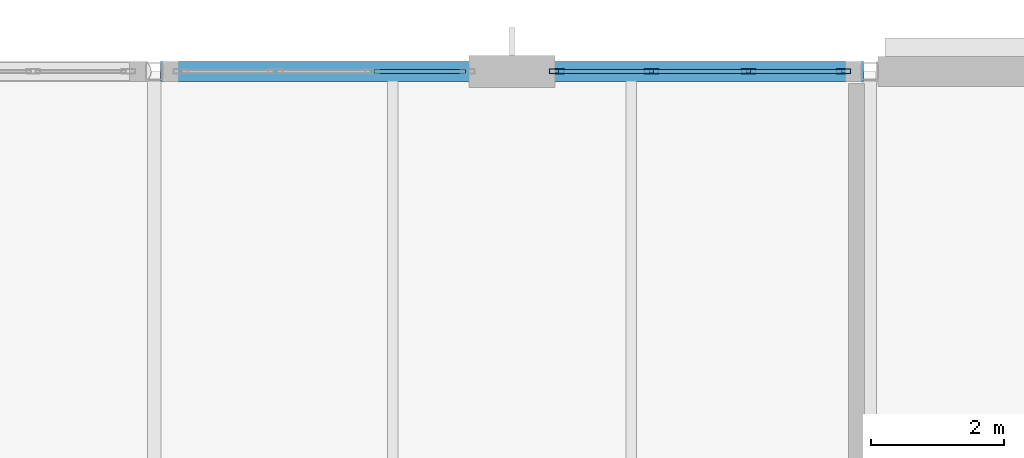
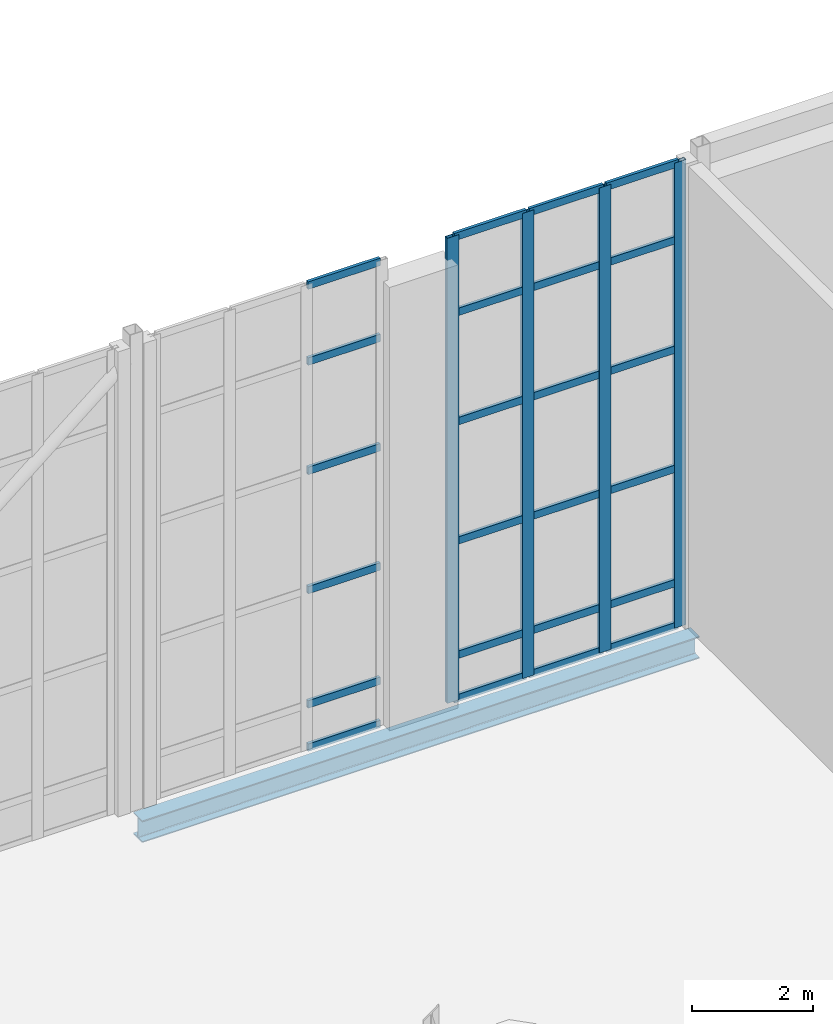
# One storey, part 57 of 100: 28 members, 1 beam, 2 elements without a shape of their own.
"""IFC4 building model written with IfcOpenShell, lengths in metres."""

from ifc_helpers import new_model, si_unit, direction, frame, origin, origin_2d, place, context, subcontext, project, spatial, hollow_rectangle, i_section, extrude, material, layer, layer_set, material_profile, profile_set, type_object, element, aggregate, save


model = new_model("IFC4")

# Units and contexts
model_context = context("Model", 3, precision=1e-05, world=origin(), true_north=direction((0.0, 1.0)))
body_context = subcontext(model_context, "Body", "Model", "MODEL_VIEW")
ifc_project = project(units=[si_unit("LENGTHUNIT", "METRE"), si_unit("AREAUNIT", "SQUARE_METRE"), si_unit("VOLUMEUNIT", "CUBIC_METRE"), si_unit("PLANEANGLEUNIT", "RADIAN"), si_unit("MASSUNIT", "GRAM", prefix="KILO")], contexts=[model_context])

# Site, building, storey
site_placement = place(None, origin())
site = spatial("IfcSite", under=ifc_project, at=site_placement, CompositionType="ELEMENT")
building_placement = place(site_placement, origin())
building = spatial("IfcBuilding", under=site, at=building_placement, Name="Tasgan Crest Museum", CompositionType="ELEMENT")
storey_placement = place(building_placement, frame((0.0, 0.0, 14.39990234375)))
storey = spatial("IfcBuildingStorey", under=building, at=storey_placement, Name="L03", CompositionType="ELEMENT", Elevation=14.39990234375)

# Beam
ifc_material_1 = material(Name="Steel S355J2", Category="steel")
ifc_material_profile_1 = material_profile(ifc_material_1, i_section(OverallWidth=0.300048828125, OverallDepth=0.43994140625, WebThickness=0.011474609375, FlangeThickness=0.02099609375, FilletRadius=0.027099609375, at=origin_2d()), Name="HEA 450")
ifc_profile_set_1 = profile_set([ifc_material_profile_1], Name="Steel S355J2")
beam_type = type_object("IfcBeamType", Name="BM-G-HEA450", PredefinedType="BEAM", material=ifc_profile_set_1)
beam_placement = place(storey_placement, frame((75.696044921875, 112.0, -0.4599609375), z_axis=(1.0, 0.0, 0.0), x_axis=(0.0, 1.0, 0.0)))
element("IfcBeam", 1, at=beam_placement, inside=storey, type_object=beam_type, Name="Girder L03 M 75.6-86.4", PredefinedType="BEAM", context=body_context, shape_type="SweptSolid", body=[
    extrude(i_section(OverallWidth=0.300048828125, OverallDepth=0.43994140625, WebThickness=0.011474609375, FlangeThickness=0.02099609375, FilletRadius=0.027099609375, at=origin_2d()), origin(), (0.0, 0.0, 1.0), 10.60791015625),
])

# Curtain wall, members
ifc_material_2 = material(Name="Triple-Glazed Aluminium Curtain Wall", Category="aluminium")
ifc_layer = layer(ifc_material_2, 0.179931640625, Name="CW-GAL-X-96")
ifc_layer_set = layer_set([ifc_layer], Name="Triple-Glazed Aluminium Curtain Wall")
curtain_wall_type = type_object("IfcCurtainWallType", Name="CW-GAL-X-96", PredefinedType="NOTDEFINED", material=ifc_layer_set)
curtain_wall_1_placement = place(storey_placement, origin())
curtain_wall_1 = element("IfcCurtainWall", 2, at=curtain_wall_1_placement, inside=storey, type_object=curtain_wall_type, Name="Curtain wall L03 125", PredefinedType="NOTDEFINED")
ifc_material_3 = material(Name="Anodised Aluminium", Category="aluminium")
ifc_material_profile_2 = material_profile(ifc_material_3, hollow_rectangle(XDim=0.074951171875, YDim=0.219970703125, WallThickness=0.006103515625, at=origin_2d()), Name="ALU MULLION 220x75x6")
ifc_profile_set_2 = profile_set([ifc_material_profile_2], Name="Anodised Aluminium")
member_type_1 = type_object("IfcMemberType", Name="CW-MULLION-220", PredefinedType="MULLION", material=ifc_profile_set_2)
member_1_placement = place(storey_placement, frame((86.0048828125, 112.0, 0.0), z_axis=(0.0, 0.0, 1.0), x_axis=(0.0, -1.0, 0.0)))
member_1 = element("IfcMember", 3, at=member_1_placement, type_object=member_type_1, Name="CW14 mullion 1", PredefinedType="MULLION", context=body_context, shape_type="SweptSolid", body=[
    extrude(hollow_rectangle(XDim=0.074951171875, YDim=0.219970703125, WallThickness=0.006103515625, at=origin_2d()), origin(), (0.0, 0.0, 1.0), 9.360107421875),
])
member_2_placement = place(storey_placement, frame((84.57177734375, 112.0, 0.0), z_axis=(0.0, 0.0, 1.0), x_axis=(0.0, -1.0, 0.0)))
member_2 = element("IfcMember", 4, at=member_2_placement, type_object=member_type_1, Name="CW14 mullion 2", PredefinedType="MULLION", context=body_context, shape_type="SweptSolid", body=[
    extrude(hollow_rectangle(XDim=0.074951171875, YDim=0.219970703125, WallThickness=0.006103515625, at=origin_2d()), origin(), (0.0, 0.0, 1.0), 9.360107421875),
])
member_3_placement = place(storey_placement, frame((83.1083984375, 112.0, 0.0), z_axis=(0.0, 0.0, 1.0), x_axis=(0.0, -1.0, 0.0)))
member_3 = element("IfcMember", 5, at=member_3_placement, type_object=member_type_1, Name="CW14 mullion 3", PredefinedType="MULLION", context=body_context, shape_type="SweptSolid", body=[
    extrude(hollow_rectangle(XDim=0.074951171875, YDim=0.219970703125, WallThickness=0.006103515625, at=origin_2d()), origin(), (0.0, 0.0, 1.0), 9.360107421875),
])
member_4_placement = place(storey_placement, frame((81.675048828125, 112.0, 0.0), z_axis=(0.0, 0.0, 1.0), x_axis=(0.0, -1.0, 0.0)))
member_4 = element("IfcMember", 6, at=member_4_placement, type_object=member_type_1, Name="CW14 mullion 4", PredefinedType="MULLION", context=body_context, shape_type="SweptSolid", body=[
    extrude(hollow_rectangle(XDim=0.074951171875, YDim=0.219970703125, WallThickness=0.006103515625, at=origin_2d()), origin(), (0.0, 0.0, 1.0), 9.360107421875),
])
ifc_material_4 = material(Name="Anodised Aluminium", Category="aluminium")
ifc_material_profile_3 = material_profile(ifc_material_4, hollow_rectangle(XDim=0.06005859375, YDim=0.14990234375, WallThickness=0.0048828125, at=origin_2d()), Name="ALU TRANSOM 150x60x5")
ifc_profile_set_3 = profile_set([ifc_material_profile_3], Name="Anodised Aluminium")
member_type_2 = type_object("IfcMemberType", Name="CW-TRANSOM-150", PredefinedType="USERDEFINED", material=ifc_profile_set_3)
member_5_placement = place(storey_placement, frame((85.97509765625, 112.0, 0.030029296875), z_axis=(-1.0, 0.0, 0.0), x_axis=(0.0, -1.0, 0.0)))
member_5 = element("IfcMember", 7, at=member_5_placement, type_object=member_type_2, Name="CW14 transom 1.1", ObjectType="TRANSOM", PredefinedType="USERDEFINED", context=body_context, shape_type="SweptSolid", body=[
    extrude(hollow_rectangle(XDim=0.06005859375, YDim=0.14990234375, WallThickness=0.0048828125, at=origin_2d()), origin(), (0.0, 0.0, 1.0), 1.37353515625),
])
member_6_placement = place(storey_placement, frame((85.97509765625, 112.0, 0.900146484375), z_axis=(-1.0, 0.0, 0.0), x_axis=(0.0, -1.0, 0.0)))
member_6 = element("IfcMember", 8, at=member_6_placement, type_object=member_type_2, Name="CW14 transom 1.2", ObjectType="TRANSOM", PredefinedType="USERDEFINED", context=body_context, shape_type="SweptSolid", body=[
    extrude(hollow_rectangle(XDim=0.06005859375, YDim=0.14990234375, WallThickness=0.0048828125, at=origin_2d()), origin(), (0.0, 0.0, 1.0), 1.37353515625),
])
member_7_placement = place(storey_placement, frame((85.97509765625, 112.0, 3.2001953125), z_axis=(-1.0, 0.0, 0.0), x_axis=(0.0, -1.0, 0.0)))
member_7 = element("IfcMember", 9, at=member_7_placement, type_object=member_type_2, Name="CW14 transom 1.3", ObjectType="TRANSOM", PredefinedType="USERDEFINED", context=body_context, shape_type="SweptSolid", body=[
    extrude(hollow_rectangle(XDim=0.06005859375, YDim=0.14990234375, WallThickness=0.0048828125, at=origin_2d()), origin(), (0.0, 0.0, 1.0), 1.37353515625),
])
member_8_placement = place(storey_placement, frame((85.97509765625, 112.0, 5.60009765625), z_axis=(-1.0, 0.0, 0.0), x_axis=(0.0, -1.0, 0.0)))
member_8 = element("IfcMember", 10, at=member_8_placement, type_object=member_type_2, Name="CW14 transom 1.4", ObjectType="TRANSOM", PredefinedType="USERDEFINED", context=body_context, shape_type="SweptSolid", body=[
    extrude(hollow_rectangle(XDim=0.06005859375, YDim=0.14990234375, WallThickness=0.0048828125, at=origin_2d()), origin(), (0.0, 0.0, 1.0), 1.37353515625),
])
member_9_placement = place(storey_placement, frame((85.97509765625, 112.0, 7.800048828125), z_axis=(-1.0, 0.0, 0.0), x_axis=(0.0, -1.0, 0.0)))
member_9 = element("IfcMember", 11, at=member_9_placement, type_object=member_type_2, Name="CW14 transom 1.5", ObjectType="TRANSOM", PredefinedType="USERDEFINED", context=body_context, shape_type="SweptSolid", body=[
    extrude(hollow_rectangle(XDim=0.06005859375, YDim=0.14990234375, WallThickness=0.0048828125, at=origin_2d()), origin(), (0.0, 0.0, 1.0), 1.37353515625),
])
member_10_placement = place(storey_placement, frame((85.97509765625, 112.0, 9.330078125), z_axis=(-1.0, 0.0, 0.0), x_axis=(0.0, -1.0, 0.0)))
member_10 = element("IfcMember", 12, at=member_10_placement, type_object=member_type_2, Name="CW14 transom 1.6", ObjectType="TRANSOM", PredefinedType="USERDEFINED", context=body_context, shape_type="SweptSolid", body=[
    extrude(hollow_rectangle(XDim=0.06005859375, YDim=0.14990234375, WallThickness=0.0048828125, at=origin_2d()), origin(), (0.0, 0.0, 1.0), 1.37353515625),
])
member_11_placement = place(storey_placement, frame((84.541748046875, 112.0, 0.030029296875), z_axis=(-1.0, 0.0, 0.0), x_axis=(0.0, -1.0, 0.0)))
member_11 = element("IfcMember", 13, at=member_11_placement, type_object=member_type_2, Name="CW14 transom 2.1", ObjectType="TRANSOM", PredefinedType="USERDEFINED", context=body_context, shape_type="SweptSolid", body=[
    extrude(hollow_rectangle(XDim=0.06005859375, YDim=0.14990234375, WallThickness=0.0048828125, at=origin_2d()), origin(), (0.0, 0.0, 1.0), 1.4033203125),
])
member_12_placement = place(storey_placement, frame((84.541748046875, 112.0, 0.900146484375), z_axis=(-1.0, 0.0, 0.0), x_axis=(0.0, -1.0, 0.0)))
member_12 = element("IfcMember", 14, at=member_12_placement, type_object=member_type_2, Name="CW14 transom 2.2", ObjectType="TRANSOM", PredefinedType="USERDEFINED", context=body_context, shape_type="SweptSolid", body=[
    extrude(hollow_rectangle(XDim=0.06005859375, YDim=0.14990234375, WallThickness=0.0048828125, at=origin_2d()), origin(), (0.0, 0.0, 1.0), 1.4033203125),
])
member_13_placement = place(storey_placement, frame((84.541748046875, 112.0, 3.2001953125), z_axis=(-1.0, 0.0, 0.0), x_axis=(0.0, -1.0, 0.0)))
member_13 = element("IfcMember", 15, at=member_13_placement, type_object=member_type_2, Name="CW14 transom 2.3", ObjectType="TRANSOM", PredefinedType="USERDEFINED", context=body_context, shape_type="SweptSolid", body=[
    extrude(hollow_rectangle(XDim=0.06005859375, YDim=0.14990234375, WallThickness=0.0048828125, at=origin_2d()), origin(), (0.0, 0.0, 1.0), 1.4033203125),
])
member_14_placement = place(storey_placement, frame((84.541748046875, 112.0, 5.60009765625), z_axis=(-1.0, 0.0, 0.0), x_axis=(0.0, -1.0, 0.0)))
member_14 = element("IfcMember", 16, at=member_14_placement, type_object=member_type_2, Name="CW14 transom 2.4", ObjectType="TRANSOM", PredefinedType="USERDEFINED", context=body_context, shape_type="SweptSolid", body=[
    extrude(hollow_rectangle(XDim=0.06005859375, YDim=0.14990234375, WallThickness=0.0048828125, at=origin_2d()), origin(), (0.0, 0.0, 1.0), 1.4033203125),
])
member_15_placement = place(storey_placement, frame((84.541748046875, 112.0, 7.800048828125), z_axis=(-1.0, 0.0, 0.0), x_axis=(0.0, -1.0, 0.0)))
member_15 = element("IfcMember", 17, at=member_15_placement, type_object=member_type_2, Name="CW14 transom 2.5", ObjectType="TRANSOM", PredefinedType="USERDEFINED", context=body_context, shape_type="SweptSolid", body=[
    extrude(hollow_rectangle(XDim=0.06005859375, YDim=0.14990234375, WallThickness=0.0048828125, at=origin_2d()), origin(), (0.0, 0.0, 1.0), 1.4033203125),
])
member_16_placement = place(storey_placement, frame((84.541748046875, 112.0, 9.330078125), z_axis=(-1.0, 0.0, 0.0), x_axis=(0.0, -1.0, 0.0)))
member_16 = element("IfcMember", 18, at=member_16_placement, type_object=member_type_2, Name="CW14 transom 2.6", ObjectType="TRANSOM", PredefinedType="USERDEFINED", context=body_context, shape_type="SweptSolid", body=[
    extrude(hollow_rectangle(XDim=0.06005859375, YDim=0.14990234375, WallThickness=0.0048828125, at=origin_2d()), origin(), (0.0, 0.0, 1.0), 1.4033203125),
])
member_17_placement = place(storey_placement, frame((83.078369140625, 112.0, 0.030029296875), z_axis=(-1.0, 0.0, 0.0), x_axis=(0.0, -1.0, 0.0)))
member_17 = element("IfcMember", 19, at=member_17_placement, type_object=member_type_2, Name="CW14 transom 3.1", ObjectType="TRANSOM", PredefinedType="USERDEFINED", context=body_context, shape_type="SweptSolid", body=[
    extrude(hollow_rectangle(XDim=0.06005859375, YDim=0.14990234375, WallThickness=0.0048828125, at=origin_2d()), origin(), (0.0, 0.0, 1.0), 1.373291015625),
])
member_18_placement = place(storey_placement, frame((83.078369140625, 112.0, 0.900146484375), z_axis=(-1.0, 0.0, 0.0), x_axis=(0.0, -1.0, 0.0)))
member_18 = element("IfcMember", 20, at=member_18_placement, type_object=member_type_2, Name="CW14 transom 3.2", ObjectType="TRANSOM", PredefinedType="USERDEFINED", context=body_context, shape_type="SweptSolid", body=[
    extrude(hollow_rectangle(XDim=0.06005859375, YDim=0.14990234375, WallThickness=0.0048828125, at=origin_2d()), origin(), (0.0, 0.0, 1.0), 1.373291015625),
])
member_19_placement = place(storey_placement, frame((83.078369140625, 112.0, 3.2001953125), z_axis=(-1.0, 0.0, 0.0), x_axis=(0.0, -1.0, 0.0)))
member_19 = element("IfcMember", 21, at=member_19_placement, type_object=member_type_2, Name="CW14 transom 3.3", ObjectType="TRANSOM", PredefinedType="USERDEFINED", context=body_context, shape_type="SweptSolid", body=[
    extrude(hollow_rectangle(XDim=0.06005859375, YDim=0.14990234375, WallThickness=0.0048828125, at=origin_2d()), origin(), (0.0, 0.0, 1.0), 1.373291015625),
])
member_20_placement = place(storey_placement, frame((83.078369140625, 112.0, 5.60009765625), z_axis=(-1.0, 0.0, 0.0), x_axis=(0.0, -1.0, 0.0)))
member_20 = element("IfcMember", 22, at=member_20_placement, type_object=member_type_2, Name="CW14 transom 3.4", ObjectType="TRANSOM", PredefinedType="USERDEFINED", context=body_context, shape_type="SweptSolid", body=[
    extrude(hollow_rectangle(XDim=0.06005859375, YDim=0.14990234375, WallThickness=0.0048828125, at=origin_2d()), origin(), (0.0, 0.0, 1.0), 1.373291015625),
])
member_21_placement = place(storey_placement, frame((83.078369140625, 112.0, 7.800048828125), z_axis=(-1.0, 0.0, 0.0), x_axis=(0.0, -1.0, 0.0)))
member_21 = element("IfcMember", 23, at=member_21_placement, type_object=member_type_2, Name="CW14 transom 3.5", ObjectType="TRANSOM", PredefinedType="USERDEFINED", context=body_context, shape_type="SweptSolid", body=[
    extrude(hollow_rectangle(XDim=0.06005859375, YDim=0.14990234375, WallThickness=0.0048828125, at=origin_2d()), origin(), (0.0, 0.0, 1.0), 1.373291015625),
])
member_22_placement = place(storey_placement, frame((83.078369140625, 112.0, 9.330078125), z_axis=(-1.0, 0.0, 0.0), x_axis=(0.0, -1.0, 0.0)))
member_22 = element("IfcMember", 24, at=member_22_placement, type_object=member_type_2, Name="CW14 transom 3.6", ObjectType="TRANSOM", PredefinedType="USERDEFINED", context=body_context, shape_type="SweptSolid", body=[
    extrude(hollow_rectangle(XDim=0.06005859375, YDim=0.14990234375, WallThickness=0.0048828125, at=origin_2d()), origin(), (0.0, 0.0, 1.0), 1.373291015625),
])
aggregate(curtain_wall_1, [member_1, member_2, member_3, member_4, member_5, member_6, member_7, member_8, member_9, member_10, member_11, member_12, member_13, member_14, member_15, member_16, member_17, member_18, member_19, member_20, member_21, member_22])

curtain_wall_2_placement = place(storey_placement, origin())
curtain_wall_2 = element("IfcCurtainWall", 25, at=curtain_wall_2_placement, inside=storey, type_object=curtain_wall_type, Name="Curtain wall L03 126", PredefinedType="NOTDEFINED")
member_23_placement = place(storey_placement, frame((80.294921875, 112.0, 0.030029296875), z_axis=(-1.0, 0.0, 0.0), x_axis=(0.0, -1.0, 0.0)))
member_23 = element("IfcMember", 26, at=member_23_placement, type_object=member_type_2, Name="CW14 transom 1.1", ObjectType="TRANSOM", PredefinedType="USERDEFINED", context=body_context, shape_type="SweptSolid", body=[
    extrude(hollow_rectangle(XDim=0.06005859375, YDim=0.14990234375, WallThickness=0.0048828125, at=origin_2d()), origin(), (0.0, 0.0, 1.0), 1.373291015625),
])
member_24_placement = place(storey_placement, frame((80.294921875, 112.0, 0.900146484375), z_axis=(-1.0, 0.0, 0.0), x_axis=(0.0, -1.0, 0.0)))
member_24 = element("IfcMember", 27, at=member_24_placement, type_object=member_type_2, Name="CW14 transom 1.2", ObjectType="TRANSOM", PredefinedType="USERDEFINED", context=body_context, shape_type="SweptSolid", body=[
    extrude(hollow_rectangle(XDim=0.06005859375, YDim=0.14990234375, WallThickness=0.0048828125, at=origin_2d()), origin(), (0.0, 0.0, 1.0), 1.373291015625),
])
member_25_placement = place(storey_placement, frame((80.294921875, 112.0, 3.2001953125), z_axis=(-1.0, 0.0, 0.0), x_axis=(0.0, -1.0, 0.0)))
member_25 = element("IfcMember", 28, at=member_25_placement, type_object=member_type_2, Name="CW14 transom 1.3", ObjectType="TRANSOM", PredefinedType="USERDEFINED", context=body_context, shape_type="SweptSolid", body=[
    extrude(hollow_rectangle(XDim=0.06005859375, YDim=0.14990234375, WallThickness=0.0048828125, at=origin_2d()), origin(), (0.0, 0.0, 1.0), 1.373291015625),
])
member_26_placement = place(storey_placement, frame((80.294921875, 112.0, 5.60009765625), z_axis=(-1.0, 0.0, 0.0), x_axis=(0.0, -1.0, 0.0)))
member_26 = element("IfcMember", 29, at=member_26_placement, type_object=member_type_2, Name="CW14 transom 1.4", ObjectType="TRANSOM", PredefinedType="USERDEFINED", context=body_context, shape_type="SweptSolid", body=[
    extrude(hollow_rectangle(XDim=0.06005859375, YDim=0.14990234375, WallThickness=0.0048828125, at=origin_2d()), origin(), (0.0, 0.0, 1.0), 1.373291015625),
])
member_27_placement = place(storey_placement, frame((80.294921875, 112.0, 7.800048828125), z_axis=(-1.0, 0.0, 0.0), x_axis=(0.0, -1.0, 0.0)))
member_27 = element("IfcMember", 30, at=member_27_placement, type_object=member_type_2, Name="CW14 transom 1.5", ObjectType="TRANSOM", PredefinedType="USERDEFINED", context=body_context, shape_type="SweptSolid", body=[
    extrude(hollow_rectangle(XDim=0.06005859375, YDim=0.14990234375, WallThickness=0.0048828125, at=origin_2d()), origin(), (0.0, 0.0, 1.0), 1.373291015625),
])
member_28_placement = place(storey_placement, frame((80.294921875, 112.0, 9.330078125), z_axis=(-1.0, 0.0, 0.0), x_axis=(0.0, -1.0, 0.0)))
member_28 = element("IfcMember", 31, at=member_28_placement, type_object=member_type_2, Name="CW14 transom 1.6", ObjectType="TRANSOM", PredefinedType="USERDEFINED", context=body_context, shape_type="SweptSolid", body=[
    extrude(hollow_rectangle(XDim=0.06005859375, YDim=0.14990234375, WallThickness=0.0048828125, at=origin_2d()), origin(), (0.0, 0.0, 1.0), 1.373291015625),
])
aggregate(curtain_wall_2, [member_23, member_24, member_25, member_26, member_27, member_28])

save(model, "model.ifc")
